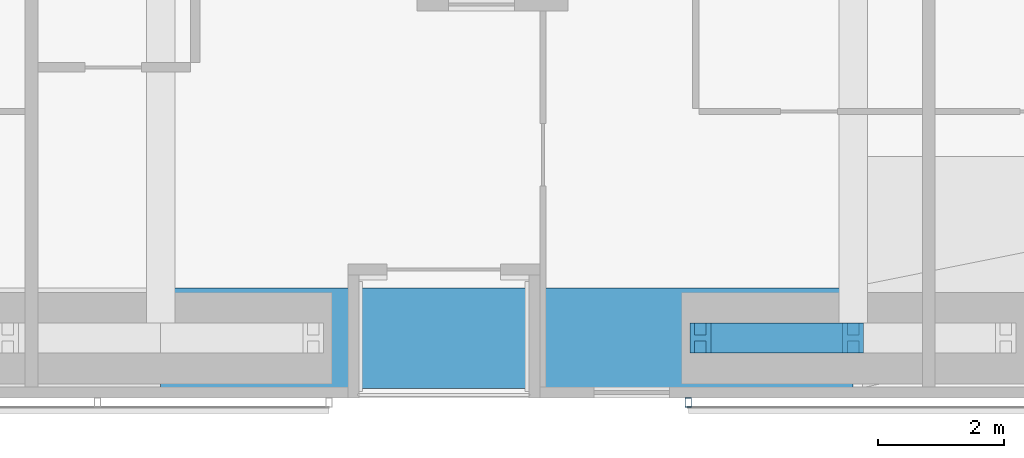
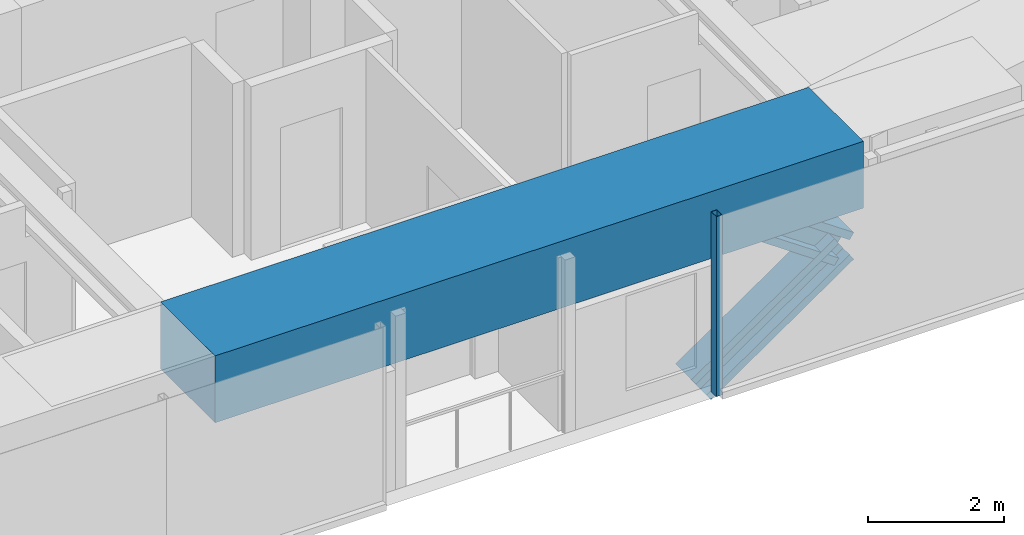
# One storey, part 5 of 23: 3 members, 1 beam, 1 element without a shape of its own.
"""IFC4 building model written with IfcOpenShell, lengths in metres."""

from ifc_helpers import new_model, si_unit, direction, frame, origin, origin_2d, place, context, subcontext, project, spatial, rectangle, hollow_rectangle, i_section, extrude, material, material_profile, profile_set, type_object, element, aggregate, save


model = new_model("IFC4")

# Units and contexts
model_context = context("Model", 3, precision=1e-05, world=origin(), true_north=direction((0.0, 1.0)))
body_context = subcontext(model_context, "Body", "Model", "MODEL_VIEW")
ifc_project = project(units=[si_unit("LENGTHUNIT", "METRE"), si_unit("AREAUNIT", "SQUARE_METRE"), si_unit("VOLUMEUNIT", "CUBIC_METRE"), si_unit("PLANEANGLEUNIT", "RADIAN"), si_unit("MASSUNIT", "GRAM", prefix="KILO")], contexts=[model_context])

# Site, building, storey
site_placement = place(None, origin())
site = spatial("IfcSite", under=ifc_project, at=site_placement, CompositionType="ELEMENT")
building_placement = place(site_placement, origin())
building = spatial("IfcBuilding", under=site, at=building_placement, Name="Jalousie Tower", CompositionType="ELEMENT")
storey_placement = place(building_placement, frame((0.0, 0.0, 34.39990234375)))
storey = spatial("IfcBuildingStorey", under=building, at=storey_placement, Name="L08", CompositionType="ELEMENT", Elevation=34.39990234375)

# Members
ifc_material_1 = material(Name="Steel ASTM A992 Grade 50", Category="steel")
ifc_material_profile_1 = material_profile(ifc_material_1, i_section(OverallWidth=0.472412109375, OverallDepth=0.5791015625, WebThickness=0.094970703125, FlangeThickness=0.1298828125, at=origin_2d()), Name="W14X808")
ifc_profile_set_1 = profile_set([ifc_material_profile_1], Name="Steel ASTM A992 Grade 50")
member_type_1 = type_object("IfcMemberType", Name="PERIMETER BRACE W14X808", PredefinedType="BRACE", material=ifc_profile_set_1)
for number, where, z_axis, x_axis, name in (
    (1, (32.574951171875, 0.949951171875, -0.599853515625), (0.822800062329, 0.0, 0.568330940062), (0.0, 1.0, 0.0), "Perimeter brace 04 L08 part 1"),
    (2, (35.0, 0.949951171875, 1.0751953125), (-0.82283879777, 0.0, 0.568274856811), (0.0, -1.0, 0.0), "Perimeter brace 04 L08 part 4"),
):
    element("IfcMember", number, at=place(storey_placement, frame(where, z_axis=z_axis, x_axis=x_axis)), inside=storey, type_object=member_type_1, Name=name, PredefinedType="BRACE", context=body_context, shape_type="SweptSolid", body=[
        extrude(i_section(OverallWidth=0.472412109375, OverallDepth=0.5791015625, WebThickness=0.094970703125, FlangeThickness=0.1298828125, at=origin_2d()), origin(), (0.0, 0.0, 1.0), 2.947265625),
    ])

# Beam
ifc_material_2 = material(Name="Concrete f'c 40 MPa", Category="concrete")
ifc_material_profile_2 = material_profile(ifc_material_2, rectangle(XDim=1.60009765625, YDim=1.199951171875, at=origin_2d()), Name="RC 1600x1200")
ifc_profile_set_2 = profile_set([ifc_material_profile_2], Name="Concrete f'c 40 MPa")
beam_type = type_object("IfcBeamType", Name="RC BEAM 1600x1200", PredefinedType="BEAM", material=ifc_profile_set_2)
beam_placement = place(storey_placement, frame((24.0, 0.949951171875, 2.75), z_axis=(1.0, 0.0, 0.0), x_axis=(0.0, 1.0, 0.0)))
element("IfcBeam", 3, at=beam_placement, inside=storey, type_object=beam_type, Name="Edge band beam 03-04 under L09", PredefinedType="BEAM", context=body_context, shape_type="SweptSolid", body=[
    extrude(rectangle(XDim=1.60009765625, YDim=1.199951171875, at=origin_2d()), origin(), (0.0, 0.0, 1.0), 11.0),
])

# Curtain wall, member
ifc_material_3 = material(Name="Perforated aluminium sheet", Category="aluminium")
curtain_wall_type = type_object("IfcCurtainWallType", Name="SOLAR SCREEN SS-1", PredefinedType="USERDEFINED", material=ifc_material_3)
curtain_wall_placement = place(storey_placement, origin())
curtain_wall = element("IfcCurtainWall", 4, at=curtain_wall_placement, inside=storey, type_object=curtain_wall_type, Name="Solar screen L08", ObjectType="SOLAR SCREEN SS-1", PredefinedType="USERDEFINED")
ifc_material_4 = material(Name="Steel ASTM A500 Grade C", Category="steel")
ifc_material_profile_3 = material_profile(ifc_material_4, hollow_rectangle(XDim=0.1015625, YDim=0.15234375, WallThickness=0.00634765625, at=origin_2d()), Name="HSS6X4X1/4")
ifc_profile_set_3 = profile_set([ifc_material_profile_3], Name="Steel ASTM A500 Grade C")
member_type_2 = type_object("IfcMemberType", Name="SOLAR SCREEN SS-1 MULLION", PredefinedType="MULLION", material=ifc_profile_set_3)
member_placement = place(storey_placement, frame((32.382568359375, -0.0712890625, -0.119873046875), z_axis=(0.0, 0.0, 1.0), x_axis=(1.0, 0.0, 0.0)))
member = element("IfcMember", 5, at=member_placement, type_object=member_type_2, Name="SS1 post 1", PredefinedType="MULLION", context=body_context, shape_type="SweptSolid", body=[
    extrude(hollow_rectangle(XDim=0.1015625, YDim=0.15234375, WallThickness=0.00634765625, at=origin_2d()), origin(), (0.0, 0.0, 1.0), 3.22998046875),
])
aggregate(curtain_wall, [member])

save(model, "model.ifc")
